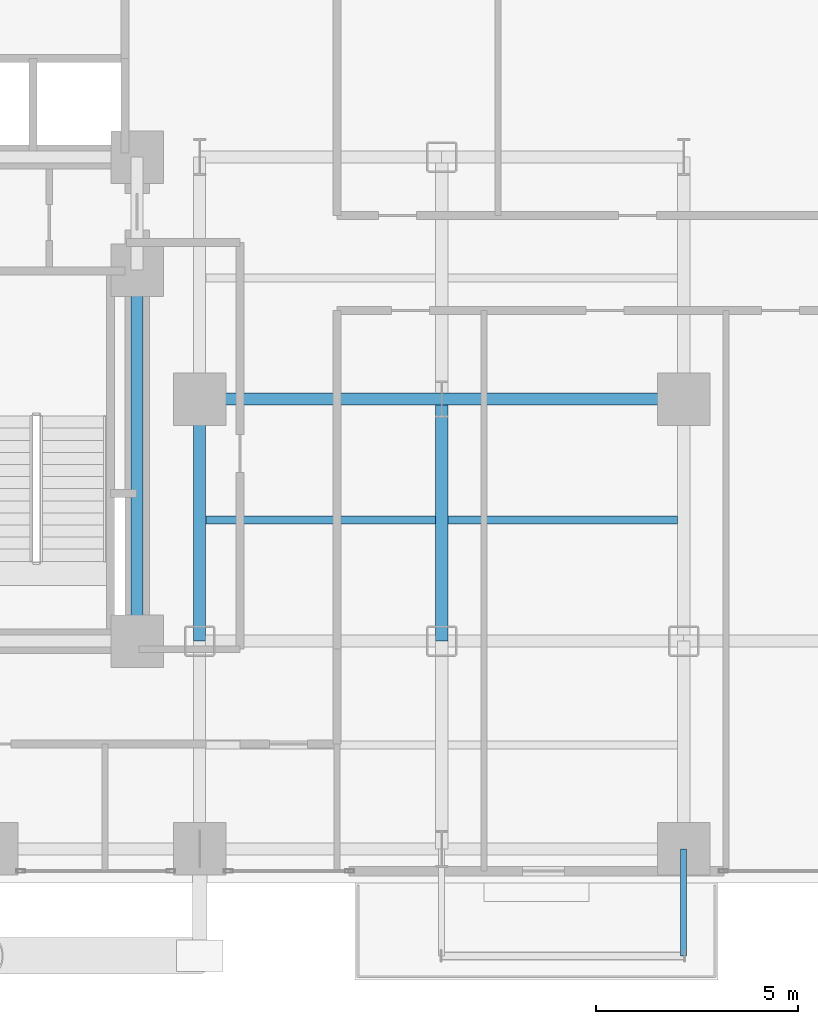
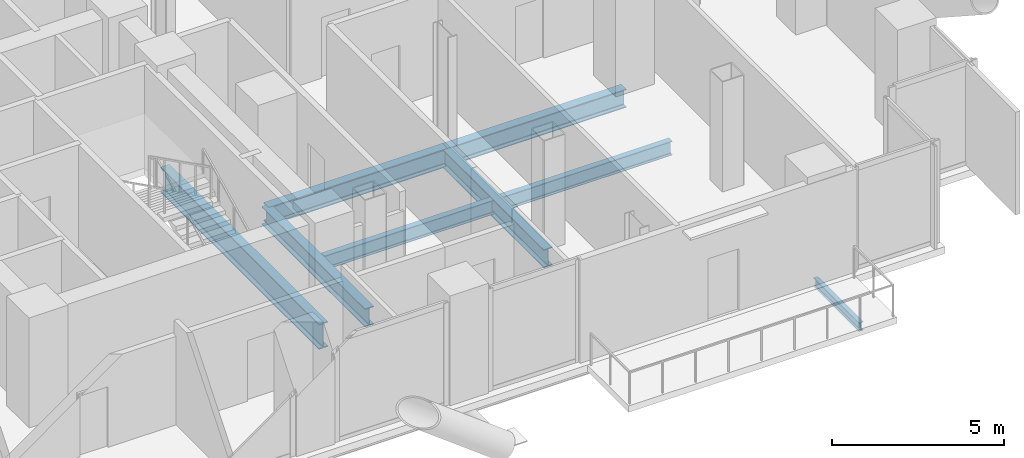
# One storey, part 9 of 27: 8 beams.
"""IFC4 building model written with IfcOpenShell, lengths in metres."""

from ifc_helpers import new_model, si_unit, direction, frame, origin, origin_2d, place, context, subcontext, project, spatial, i_section, extrude, material, material_profile, profile_set, type_object, element, save


model = new_model("IFC4")

# Units and contexts
model_context = context("Model", 3, precision=1e-05, world=origin(), true_north=direction((0.0, 1.0)))
body_context = subcontext(model_context, "Body", "Model", "MODEL_VIEW")
ifc_project = project(units=[si_unit("LENGTHUNIT", "METRE"), si_unit("AREAUNIT", "SQUARE_METRE"), si_unit("VOLUMEUNIT", "CUBIC_METRE"), si_unit("PLANEANGLEUNIT", "RADIAN"), si_unit("MASSUNIT", "GRAM", prefix="KILO"), si_unit("THERMODYNAMICTEMPERATUREUNIT", "KELVIN"), si_unit("POWERUNIT", "WATT")], contexts=[model_context])

# Site, building, storey
site_placement = place(None, origin())
site = spatial("IfcSite", under=ifc_project, at=site_placement, CompositionType="ELEMENT")
building_placement = place(site_placement, origin())
building = spatial("IfcBuilding", under=site, at=building_placement, Name="Svarakhadi Broadcast Tower", CompositionType="ELEMENT")
storey_placement = place(building_placement, frame((0.0, 0.0, 59.699951171875)))
storey = spatial("IfcBuildingStorey", under=building, at=storey_placement, Name="L13", CompositionType="ELEMENT", Elevation=59.699951171875)

# Beams
ifc_material_1 = material(Name="Steel S355J2 (IS 2062 E350C)", Category="steel")
ifc_material_profile_1 = material_profile(ifc_material_1, i_section(OverallWidth=0.199951171875, OverallDepth=0.5, WebThickness=0.01025390625, FlangeThickness=0.01611328125, FilletRadius=0.02099609375, at=origin_2d()), Name="NPB 500x200x91")
ifc_profile_set_1 = profile_set([ifc_material_profile_1], Name="Steel S355J2 (IS 2062 E350C)")
beam_type_1 = type_object("IfcBeamType", Name="Beam_NPB500", PredefinedType="BEAM", material=ifc_profile_set_1)
for number, where, z_axis, x_axis, name in (
    (1, (35.31005859375, 9.0, -0.5), (1.0, 0.0, 0.0), (0.0, 1.0, 0.0), "L13 Secondary Composite Beam SB023"),
    (2, (41.31005859375, 9.0, -0.5), (1.0, 0.0, 0.0), (0.0, 1.0, 0.0), "L13 Secondary Composite Beam SB026"),
):
    element("IfcBeam", number, at=place(storey_placement, frame(where, z_axis=z_axis, x_axis=x_axis)), inside=storey, type_object=beam_type_1, Name=name, PredefinedType="BEAM", context=body_context, shape_type="SweptSolid", body=[
        extrude(i_section(OverallWidth=0.199951171875, OverallDepth=0.5, WebThickness=0.01025390625, FlangeThickness=0.01611328125, FilletRadius=0.02099609375, at=origin_2d()), origin(), (0.0, 0.0, 1.0), 5.679931640625),
    ])
ifc_material_profile_2 = material_profile(ifc_material_1, i_section(OverallWidth=0.300048828125, OverallDepth=0.64990234375, WebThickness=0.01611328125, FlangeThickness=0.031005859375, FilletRadius=0.027099609375, at=origin_2d()), Name="WPB 650x300x225")
ifc_profile_set_2 = profile_set([ifc_material_profile_2], Name="Steel S355J2 (IS 2062 E350C)")
beam_type_2 = type_object("IfcBeamType", Name="Girder_WPB650", PredefinedType="USERDEFINED", material=ifc_profile_set_2)
for number, where, z_axis, x_axis, name in (
    (3, (35.14990234375, 12.0, -0.574951171875), (1.0, 0.0, 0.0), (0.0, 1.0, 0.0), "L13 Primary E-W Girder G023"),
    (4, (41.14990234375, 12.0, -0.574951171875), (1.0, 0.0, 0.0), (0.0, 1.0, 0.0), "L13 Primary E-W Girder G024"),
    (5, (35.14990234375, 6.0, -0.574951171875), (0.0, 1.0, 0.0), (-1.0, 0.0, 0.0), "L13 Primary N-S Girder G077"),
    (6, (41.14990234375, 6.0, -0.574951171875), (0.0, 1.0, 0.0), (-1.0, 0.0, 0.0), "L13 Primary N-S Girder G080"),
):
    element("IfcBeam", number, at=place(storey_placement, frame(where, z_axis=z_axis, x_axis=x_axis)), inside=storey, type_object=beam_type_2, Name=name, ObjectType="GIRDER", PredefinedType="USERDEFINED", context=body_context, shape_type="SweptSolid", body=[
        extrude(i_section(OverallWidth=0.300048828125, OverallDepth=0.64990234375, WebThickness=0.01611328125, FlangeThickness=0.031005859375, FilletRadius=0.027099609375, at=origin_2d()), origin(), (0.0, 0.0, 1.0), 6.0),
    ])
ifc_material_2 = material(Name="Steel S460ML (IS 2062 E450BR)", Category="steel")
ifc_material_profile_3 = material_profile(ifc_material_2, i_section(OverallWidth=0.300048828125, OverallDepth=0.89990234375, WebThickness=0.0185546875, FlangeThickness=0.034912109375, FilletRadius=0.030029296875, at=origin_2d()), Name="WPB 900x300x291")
ifc_profile_set_3 = profile_set([ifc_material_profile_3], Name="Steel S460ML (IS 2062 E450BR)")
beam_type_3 = type_object("IfcBeamType", Name="Girder_WPB900", PredefinedType="USERDEFINED", material=ifc_profile_set_3)
beam_1_placement = place(storey_placement, frame((33.60009765625, 6.0, -0.699951171875), z_axis=(0.0, 1.0, 0.0), x_axis=(-1.0, 0.0, 0.0)))
element("IfcBeam", 7, at=beam_1_placement, inside=storey, type_object=beam_type_3, Name="L13 Primary N-S Girder G074", ObjectType="GIRDER", PredefinedType="USERDEFINED", context=body_context, shape_type="SweptSolid", body=[
    extrude(i_section(OverallWidth=0.300048828125, OverallDepth=0.89990234375, WebThickness=0.0185546875, FlangeThickness=0.034912109375, FilletRadius=0.030029296875, at=origin_2d()), origin(), (0.0, 0.0, 1.0), 9.199951171875),
])
ifc_material_profile_4 = material_profile(ifc_material_1, i_section(OverallWidth=0.14990234375, OverallDepth=0.300048828125, WebThickness=0.007080078125, FlangeThickness=0.0107421875, FilletRadius=0.014892578125, at=origin_2d()), Name="NPB 300x150x37")
ifc_profile_set_4 = profile_set([ifc_material_profile_4], Name="Steel S355J2 (IS 2062 E350C)")
beam_type_4 = type_object("IfcBeamType", Name="Spandrel_NPB300", PredefinedType="SPANDREL", material=ifc_profile_set_4)
beam_2_placement = place(storey_placement, frame((47.14990234375, 0.85009765625, -0.39990234375), z_axis=(0.0, -1.0, 0.0), x_axis=(1.0, 0.0, 0.0)))
element("IfcBeam", 8, at=beam_2_placement, inside=storey, type_object=beam_type_4, Name="L13 Balcony Cantilever Bracket 1B", PredefinedType="SPANDREL", context=body_context, shape_type="SweptSolid", body=[
    extrude(i_section(OverallWidth=0.14990234375, OverallDepth=0.300048828125, WebThickness=0.007080078125, FlangeThickness=0.0107421875, FilletRadius=0.014892578125, at=origin_2d()), origin(), (0.0, 0.0, 1.0), 2.650146484375),
])

save(model, "model.ifc")
